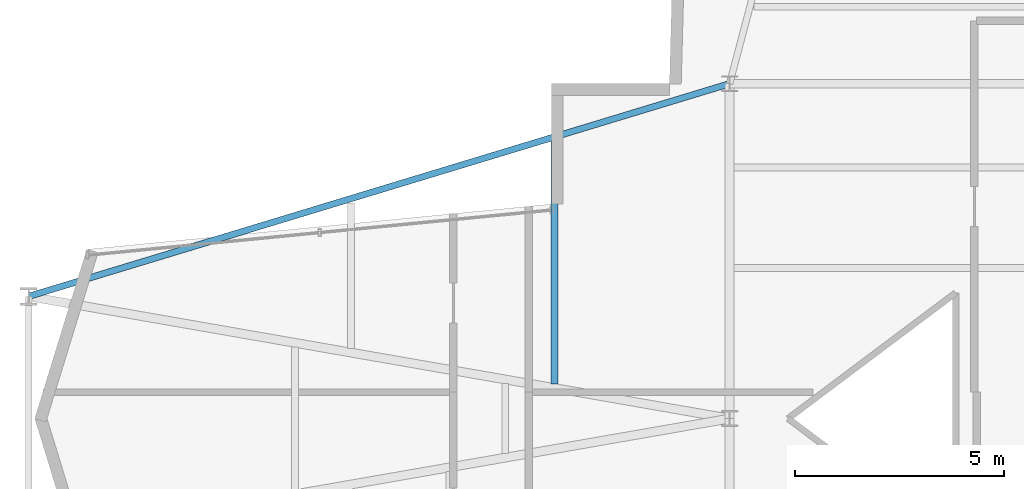
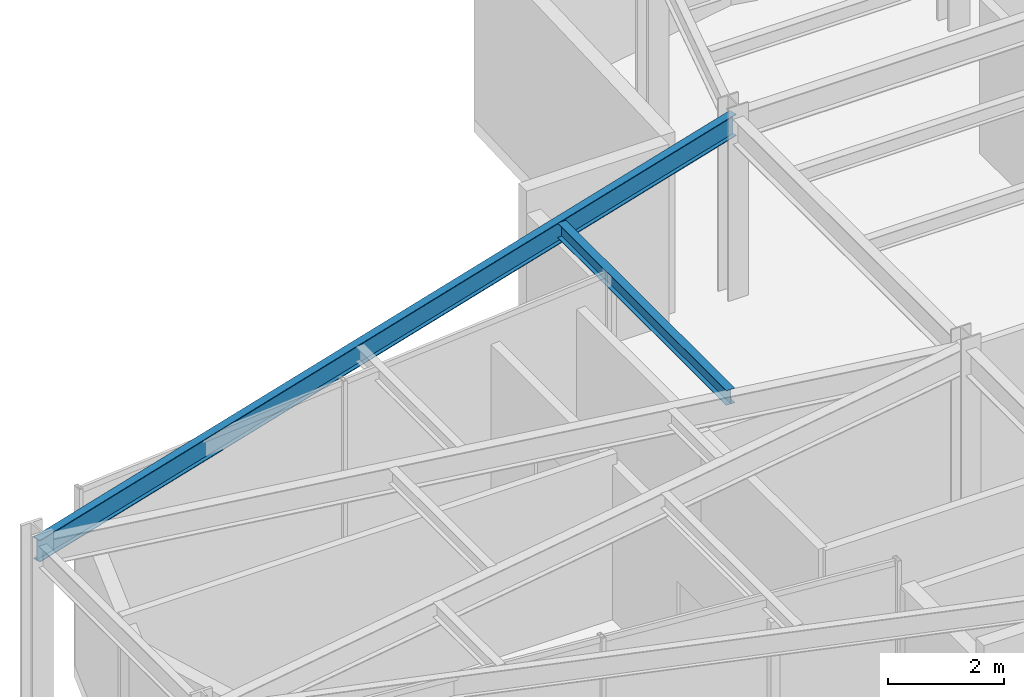
# One storey, part 9 of 21: 2 beams.
"""IFC4 building model written with IfcOpenShell, lengths in metres."""

from ifc_helpers import new_model, si_unit, direction, frame, origin, origin_2d, place, context, subcontext, project, spatial, i_section, extrude, material, material_profile, profile_set, type_object, element, save


model = new_model("IFC4")

# Units and contexts
model_context = context("Model", 3, precision=1e-05, world=origin(), true_north=direction((0.0, 1.0)))
body_context = subcontext(model_context, "Body", "Model", "MODEL_VIEW")
ifc_project = project(units=[si_unit("LENGTHUNIT", "METRE"), si_unit("AREAUNIT", "SQUARE_METRE"), si_unit("VOLUMEUNIT", "CUBIC_METRE"), si_unit("PLANEANGLEUNIT", "RADIAN"), si_unit("MASSUNIT", "GRAM", prefix="KILO")], contexts=[model_context])

# Site, building, storey
site_placement = place(None, origin())
site = spatial("IfcSite", under=ifc_project, at=site_placement, CompositionType="ELEMENT")
building_placement = place(site_placement, origin())
building = spatial("IfcBuilding", under=site, at=building_placement, Name="Veymaron Broadcast Tower", CompositionType="ELEMENT")
storey_placement = place(building_placement, frame((0.0, 0.0, 244.5)))
storey = spatial("IfcBuildingStorey", under=building, at=storey_placement, Name="L57", CompositionType="ELEMENT", Elevation=244.5)

# Beams
ifc_material = material(Name="Structural steel ASTM A992 Gr 50", Category="steel")
ifc_material_profile_1 = material_profile(ifc_material, i_section(OverallWidth=0.1650390625, OverallDepth=0.31005859375, WebThickness=0.005859375, FlangeThickness=0.009765625, at=origin_2d()), Name="W310X39")
ifc_profile_set_1 = profile_set([ifc_material_profile_1], Name="Structural steel ASTM A992 Gr 50")
beam_type_1 = type_object("IfcBeamType", Name="BM-JS3", PredefinedType="JOIST", material=ifc_profile_set_1)
beam_1_placement = place(storey_placement, frame((27.012939453125, 24.82958984375, 3.635009765625), z_axis=(0.0, 1.0, 0.0), x_axis=(-1.0, 0.0, 0.0)))
element("IfcBeam", 1, at=beam_1_placement, inside=storey, type_object=beam_type_1, Name="L57 Arm-A secondary joist 2N", PredefinedType="JOIST", context=body_context, shape_type="SweptSolid", body=[
    extrude(i_section(OverallWidth=0.1650390625, OverallDepth=0.31005859375, WebThickness=0.005859375, FlangeThickness=0.009765625, at=origin_2d()), origin(), (0.0, 0.0, 1.0), 5.7998046875),
])
ifc_material_profile_2 = material_profile(ifc_material, i_section(OverallWidth=0.154052734375, OverallDepth=0.458984375, WebThickness=0.009033203125, FlangeThickness=0.015380859375, at=origin_2d()), Name="W460X68")
ifc_profile_set_2 = profile_set([ifc_material_profile_2], Name="Structural steel ASTM A992 Gr 50")
beam_type_2 = type_object("IfcBeamType", Name="BM-SP2", PredefinedType="SPANDREL", material=ifc_profile_set_2)
beam_2_placement = place(storey_placement, frame((14.45166015625, 26.91796875, 3.560546875), z_axis=(0.956916641224, 0.290362776107, 0.0), x_axis=(-0.290362776107, 0.956916641224, 0.0)))
element("IfcBeam", 2, at=beam_2_placement, inside=storey, type_object=beam_type_2, Name="L57 primary structural floor girder", PredefinedType="SPANDREL", context=body_context, shape_type="SweptSolid", body=[
    extrude(i_section(OverallWidth=0.154052734375, OverallDepth=0.458984375, WebThickness=0.009033203125, FlangeThickness=0.015380859375, at=origin_2d()), origin(), (0.0, 0.0, 1.0), 17.50244140625),
])

save(model, "model.ifc")
